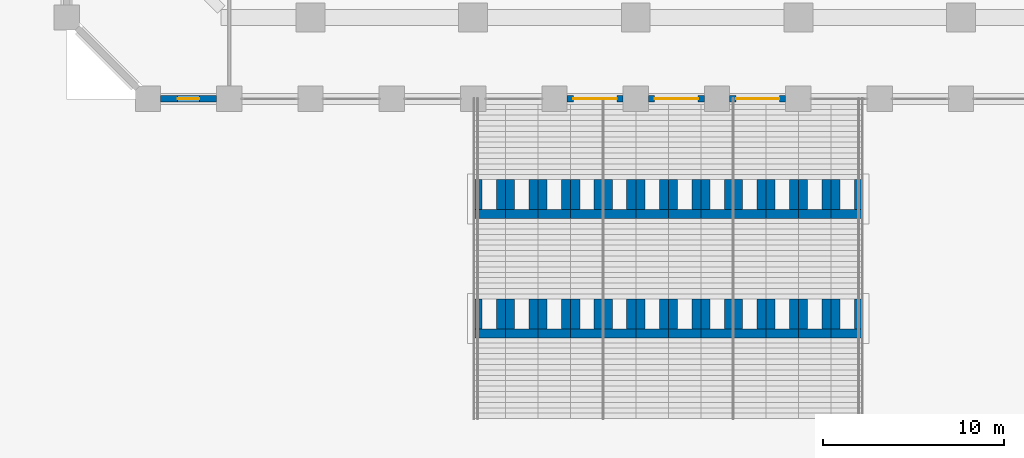
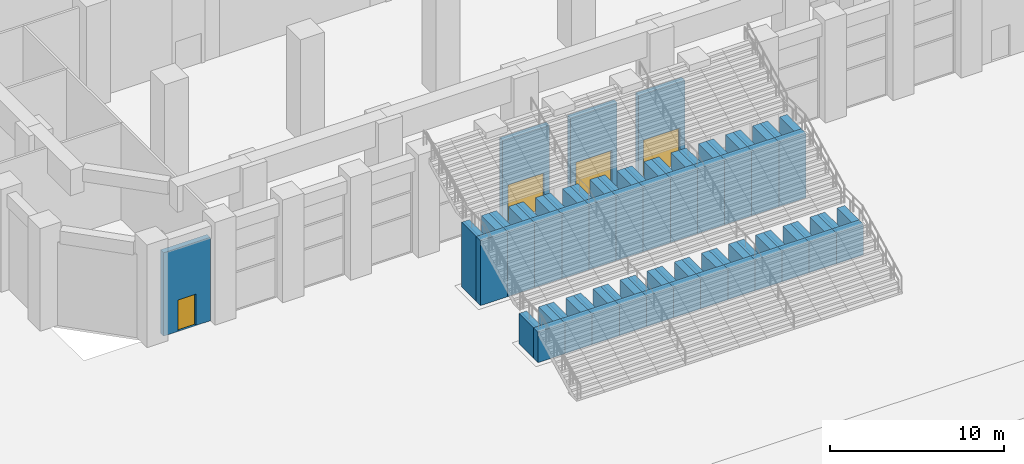
# One storey, part 8 of 30: 76 walls, 4 doors, 4 openings.
"""IFC4 building model written with IfcOpenShell, lengths in metres."""

from ifc_helpers import new_model, si_unit, direction, frame, frame_2d, origin, place, context, subcontext, project, spatial, rectangle, extrude, material, layer, layer_set, type_object, element, fill, save


model = new_model("IFC4")

# Units and contexts
model_context = context("Model", 3, precision=1e-05, world=origin(), true_north=direction((0.0, 1.0)))
body_context = subcontext(model_context, "Body", "Model", "MODEL_VIEW")
ifc_project = project(units=[si_unit("LENGTHUNIT", "METRE"), si_unit("AREAUNIT", "SQUARE_METRE"), si_unit("VOLUMEUNIT", "CUBIC_METRE"), si_unit("PLANEANGLEUNIT", "RADIAN"), si_unit("MASSUNIT", "GRAM", prefix="KILO")], contexts=[model_context])

# Site, building, storey
site_placement = place(None, origin())
site = spatial("IfcSite", under=ifc_project, at=site_placement, CompositionType="ELEMENT")
building_placement = place(site_placement, origin())
building = spatial("IfcBuilding", under=site, at=building_placement, Name="Corbel Stack Research Tower", CompositionType="ELEMENT")
storey_placement = place(building_placement, origin())
storey = spatial("IfcBuildingStorey", under=building, at=storey_placement, Name="L00", CompositionType="ELEMENT", Elevation=0.0)

# Wall, opening, door
ifc_material_1 = material(Name="Concrete C45/55", Category="concrete")
ifc_layer_1 = layer(ifc_material_1, 0.35009765625)
ifc_layer_set_1 = layer_set([ifc_layer_1], Name="Concrete C45/55")
wall_type_1 = type_object("IfcWallType", Name="Board-marked concrete wall 350", PredefinedType="SOLIDWALL", material=ifc_layer_set_1)
wall_1_placement = place(storey_placement, frame((-23.199951171875, -31.5, 0.0), z_axis=(0.0, 0.0, 1.0), x_axis=(-1.0, 0.0, 0.0)))
wall_1 = element("IfcWall", 1, at=wall_1_placement, inside=storey, type_object=wall_type_1, Name="Facade wall L00 S01", PredefinedType="SOLIDWALL", context=body_context, shape_type="SweptSolid", body=[
    extrude(rectangle(XDim=3.10009765625, YDim=0.35009765625, at=frame_2d((1.550048828125, 0.0))), origin(), (0.0, 0.0, 1.0), 5.85009765625),
])
opening_1_placement = place(wall_1_placement, frame((0.949951171875, 0.0, 0.0)))
opening_1 = element("IfcOpeningElement", 2, at=opening_1_placement, cuts=wall_1, Name="Opening EX-1", PredefinedType="OPENING", context=body_context, shape_type="SweptSolid", body=[
    extrude(rectangle(XDim=1.199951171875, YDim=2.199951171875, at=frame_2d((0.60009765625, 1.10009765625))), frame((0.0, 0.18505859375, 0.0), z_axis=(0.0, -1.0, 0.0), x_axis=(1.0, 0.0, 0.0)), (0.0, 0.0, 1.0), 0.3701171875),
])
ifc_material_2 = material(Name="Steel door leaf, painted", Category="steel")
door_type_1 = type_object("IfcDoorType", Name="Exit door EX 1200 x 2200", OperationType="NOTDEFINED", PredefinedType="DOOR", material=ifc_material_2)
door_1_placement = place(opening_1_placement, origin())
door_1 = element("IfcDoor", 3, at=door_1_placement, inside=storey, type_object=door_type_1, Name="Exit door EX-1", OperationType="SINGLE_SWING_LEFT", OverallHeight=2.199951171875, OverallWidth=1.199951171875, PredefinedType="DOOR", context=body_context, shape_type="SweptSolid", body=[
    extrude(rectangle(XDim=1.199951171875, YDim=2.199951171875, at=frame_2d((0.60009765625, 1.10009765625))), frame((0.0, 0.02490234375, 0.0), z_axis=(0.0, -1.0, 0.0), x_axis=(1.0, 0.0, 0.0)), (0.0, 0.0, 1.0), 0.050048828125),
])
fill(opening_1, door_1)

wall_2_placement = place(storey_placement, frame((-0.699951171875, -31.5, 0.0), z_axis=(0.0, 0.0, 1.0), x_axis=(-1.0, 0.0, 0.0)))
wall_2 = element("IfcWall", 4, at=wall_2_placement, inside=storey, type_object=wall_type_1, Name="Facade wall L00 S06", PredefinedType="SOLIDWALL", context=body_context, shape_type="SweptSolid", body=[
    extrude(rectangle(XDim=3.10009765625, YDim=0.35009765625, at=frame_2d((1.550048828125, 0.0))), origin(), (0.0, 0.0, 1.0), 5.85009765625),
])
opening_2_placement = place(wall_2_placement, frame((0.35009765625, 0.0, 0.0)))
opening_2 = element("IfcOpeningElement", 5, at=opening_2_placement, cuts=wall_2, Name="Opening ENT-1", PredefinedType="OPENING", context=body_context, shape_type="SweptSolid", body=[
    extrude(rectangle(XDim=2.39990234375, YDim=2.60009765625, at=frame_2d((1.199951171875, 1.300048828125))), frame((0.0, 0.18505859375, 0.0), z_axis=(0.0, -1.0, 0.0), x_axis=(1.0, 0.0, 0.0)), (0.0, 0.0, 1.0), 0.3701171875),
])
ifc_material_3 = material(Name="Aluminium frame, clear double glazing", Category="aluminium")
door_type_2 = type_object("IfcDoorType", Name="Entrance door pair ENT 2400 x 2600", OperationType="DOUBLE_DOOR_SINGLE_SWING", PredefinedType="DOOR", material=ifc_material_3)
door_2_placement = place(opening_2_placement, origin())
door_2 = element("IfcDoor", 6, at=door_2_placement, inside=storey, type_object=door_type_2, Name="Entrance door ENT-1", OperationType="SINGLE_SWING_LEFT", OverallHeight=2.60009765625, OverallWidth=2.39990234375, PredefinedType="DOOR", context=body_context, shape_type="SweptSolid", body=[
    extrude(rectangle(XDim=2.39990234375, YDim=2.60009765625, at=frame_2d((1.199951171875, 1.300048828125))), frame((0.0, 0.02490234375, 0.0), z_axis=(0.0, -1.0, 0.0), x_axis=(1.0, 0.0, 0.0)), (0.0, 0.0, 1.0), 0.050048828125),
])
fill(opening_2, door_2)

wall_3_placement = place(storey_placement, frame((3.800048828125, -31.5, 0.0), z_axis=(0.0, 0.0, 1.0), x_axis=(-1.0, 0.0, 0.0)))
wall_3 = element("IfcWall", 7, at=wall_3_placement, inside=storey, type_object=wall_type_1, Name="Facade wall L00 S07", PredefinedType="SOLIDWALL", context=body_context, shape_type="SweptSolid", body=[
    extrude(rectangle(XDim=3.10009765625, YDim=0.35009765625, at=frame_2d((1.550048828125, 0.0))), origin(), (0.0, 0.0, 1.0), 5.85009765625),
])
opening_3_placement = place(wall_3_placement, frame((0.35009765625, 0.0, 0.0)))
opening_3 = element("IfcOpeningElement", 8, at=opening_3_placement, cuts=wall_3, Name="Opening ENT-2", PredefinedType="OPENING", context=body_context, shape_type="SweptSolid", body=[
    extrude(rectangle(XDim=2.39990234375, YDim=2.60009765625, at=frame_2d((1.199951171875, 1.300048828125))), frame((0.0, 0.18505859375, 0.0), z_axis=(0.0, -1.0, 0.0), x_axis=(1.0, 0.0, 0.0)), (0.0, 0.0, 1.0), 0.3701171875),
])
door_3_placement = place(opening_3_placement, origin())
door_3 = element("IfcDoor", 9, at=door_3_placement, inside=storey, type_object=door_type_2, Name="Entrance door ENT-2", OperationType="SINGLE_SWING_LEFT", OverallHeight=2.60009765625, OverallWidth=2.39990234375, PredefinedType="DOOR", context=body_context, shape_type="SweptSolid", body=[
    extrude(rectangle(XDim=2.39990234375, YDim=2.60009765625, at=frame_2d((1.199951171875, 1.300048828125))), frame((0.0, 0.02490234375, 0.0), z_axis=(0.0, -1.0, 0.0), x_axis=(1.0, 0.0, 0.0)), (0.0, 0.0, 1.0), 0.050048828125),
])
fill(opening_3, door_3)

wall_4_placement = place(storey_placement, frame((8.300048828125, -31.5, 0.0), z_axis=(0.0, 0.0, 1.0), x_axis=(-1.0, 0.0, 0.0)))
wall_4 = element("IfcWall", 10, at=wall_4_placement, inside=storey, type_object=wall_type_1, Name="Facade wall L00 S08", PredefinedType="SOLIDWALL", context=body_context, shape_type="SweptSolid", body=[
    extrude(rectangle(XDim=3.10009765625, YDim=0.35009765625, at=frame_2d((1.550048828125, 0.0))), origin(), (0.0, 0.0, 1.0), 5.85009765625),
])
opening_4_placement = place(wall_4_placement, frame((0.35009765625, 0.0, 0.0)))
opening_4 = element("IfcOpeningElement", 11, at=opening_4_placement, cuts=wall_4, Name="Opening ENT-3", PredefinedType="OPENING", context=body_context, shape_type="SweptSolid", body=[
    extrude(rectangle(XDim=2.39990234375, YDim=2.60009765625, at=frame_2d((1.199951171875, 1.300048828125))), frame((0.0, 0.18505859375, 0.0), z_axis=(0.0, -1.0, 0.0), x_axis=(1.0, 0.0, 0.0)), (0.0, 0.0, 1.0), 0.3701171875),
])
door_4_placement = place(opening_4_placement, origin())
door_4 = element("IfcDoor", 12, at=door_4_placement, inside=storey, type_object=door_type_2, Name="Entrance door ENT-3", OperationType="SINGLE_SWING_LEFT", OverallHeight=2.60009765625, OverallWidth=2.39990234375, PredefinedType="DOOR", context=body_context, shape_type="SweptSolid", body=[
    extrude(rectangle(XDim=2.39990234375, YDim=2.60009765625, at=frame_2d((1.199951171875, 1.300048828125))), frame((0.0, 0.02490234375, 0.0), z_axis=(0.0, -1.0, 0.0), x_axis=(1.0, 0.0, 0.0)), (0.0, 0.0, 1.0), 0.050048828125),
])
fill(opening_4, door_4)

# Walls
ifc_material_4 = material(Name="Concrete C40/50", Category="concrete")
ifc_layer_2 = layer(ifc_material_4, 0.5)
ifc_layer_set_2 = layer_set([ifc_layer_2], Name="Concrete C40/50")
wall_type_2 = type_object("IfcWallType", Name="SW1 stair support wall 500", PredefinedType="SOLIDWALL", material=ifc_layer_set_2)
wall_5_placement = place(storey_placement, frame((-9.0, -44.47998046875, 0.0), z_axis=(0.0, 0.0, 1.0), x_axis=(1.0, 0.0, 0.0)))
element("IfcWall", 13, at=wall_5_placement, inside=storey, type_object=wall_type_2, Name="Garden stair 1 support wall 1a", PredefinedType="SOLIDWALL", context=body_context, shape_type="SweptSolid", body=[
    extrude(rectangle(XDim=1.800048828125, YDim=0.5, at=frame_2d((0.89990234375, 0.0))), origin(), (0.0, 0.0, 1.0), 2.14990234375),
])
for number, where, z_axis, x_axis, name in (
    (14, (-8.75, -44.22998046875, 0.0), (0.0, 0.0, 1.0), (0.0, 1.0, 0.0), "Garden stair 1 support wall 1b"),
    (15, (-7.449951171875, -44.22998046875, 0.0), (0.0, 0.0, 1.0), (0.0, 1.0, 0.0), "Garden stair 1 support wall 1c"),
):
    element("IfcWall", number, at=place(storey_placement, frame(where, z_axis=z_axis, x_axis=x_axis)), inside=storey, type_object=wall_type_2, Name=name, PredefinedType="SOLIDWALL", context=body_context, shape_type="SweptSolid", body=[
        extrude(rectangle(XDim=1.659912109375, YDim=0.5, at=frame_2d((0.830078125, 0.0))), origin(), (0.0, 0.0, 1.0), 2.14990234375),
    ])
wall_6_placement = place(storey_placement, frame((-9.0, -37.8798828125, 0.0), z_axis=(0.0, 0.0, 1.0), x_axis=(1.0, 0.0, 0.0)))
element("IfcWall", 16, at=wall_6_placement, inside=storey, type_object=wall_type_2, Name="Garden stair 1 support wall 2a", PredefinedType="SOLIDWALL", context=body_context, shape_type="SweptSolid", body=[
    extrude(rectangle(XDim=1.800048828125, YDim=0.5, at=frame_2d((0.89990234375, 0.0))), origin(), (0.0, 0.0, 1.0), 4.550048828125),
])
for number, where, z_axis, x_axis, name in (
    (17, (-8.75, -37.6298828125, 0.0), (0.0, 0.0, 1.0), (0.0, 1.0, 0.0), "Garden stair 1 support wall 2b"),
    (18, (-7.449951171875, -37.6298828125, 0.0), (0.0, 0.0, 1.0), (0.0, 1.0, 0.0), "Garden stair 1 support wall 2c"),
):
    element("IfcWall", number, at=place(storey_placement, frame(where, z_axis=z_axis, x_axis=x_axis)), inside=storey, type_object=wall_type_2, Name=name, PredefinedType="SOLIDWALL", context=body_context, shape_type="SweptSolid", body=[
        extrude(rectangle(XDim=1.659912109375, YDim=0.5, at=frame_2d((0.830078125, 0.0))), origin(), (0.0, 0.0, 1.0), 4.550048828125),
    ])
wall_7_placement = place(storey_placement, frame((-7.199951171875, -44.47998046875, 0.0), z_axis=(0.0, 0.0, 1.0), x_axis=(1.0, 0.0, 0.0)))
element("IfcWall", 19, at=wall_7_placement, inside=storey, type_object=wall_type_2, Name="Garden stair 2 support wall 1a", PredefinedType="SOLIDWALL", context=body_context, shape_type="SweptSolid", body=[
    extrude(rectangle(XDim=1.800048828125, YDim=0.5, at=frame_2d((0.89990234375, 0.0))), origin(), (0.0, 0.0, 1.0), 2.14990234375),
])
for number, where, z_axis, x_axis, name in (
    (20, (-6.949951171875, -44.22998046875, 0.0), (0.0, 0.0, 1.0), (0.0, 1.0, 0.0), "Garden stair 2 support wall 1b"),
    (21, (-5.64990234375, -44.22998046875, 0.0), (0.0, 0.0, 1.0), (0.0, 1.0, 0.0), "Garden stair 2 support wall 1c"),
):
    element("IfcWall", number, at=place(storey_placement, frame(where, z_axis=z_axis, x_axis=x_axis)), inside=storey, type_object=wall_type_2, Name=name, PredefinedType="SOLIDWALL", context=body_context, shape_type="SweptSolid", body=[
        extrude(rectangle(XDim=1.659912109375, YDim=0.5, at=frame_2d((0.830078125, 0.0))), origin(), (0.0, 0.0, 1.0), 2.14990234375),
    ])
wall_8_placement = place(storey_placement, frame((-7.199951171875, -37.8798828125, 0.0), z_axis=(0.0, 0.0, 1.0), x_axis=(1.0, 0.0, 0.0)))
element("IfcWall", 22, at=wall_8_placement, inside=storey, type_object=wall_type_2, Name="Garden stair 2 support wall 2a", PredefinedType="SOLIDWALL", context=body_context, shape_type="SweptSolid", body=[
    extrude(rectangle(XDim=1.800048828125, YDim=0.5, at=frame_2d((0.89990234375, 0.0))), origin(), (0.0, 0.0, 1.0), 4.550048828125),
])
for number, where, z_axis, x_axis, name in (
    (23, (-6.949951171875, -37.6298828125, 0.0), (0.0, 0.0, 1.0), (0.0, 1.0, 0.0), "Garden stair 2 support wall 2b"),
    (24, (-5.64990234375, -37.6298828125, 0.0), (0.0, 0.0, 1.0), (0.0, 1.0, 0.0), "Garden stair 2 support wall 2c"),
):
    element("IfcWall", number, at=place(storey_placement, frame(where, z_axis=z_axis, x_axis=x_axis)), inside=storey, type_object=wall_type_2, Name=name, PredefinedType="SOLIDWALL", context=body_context, shape_type="SweptSolid", body=[
        extrude(rectangle(XDim=1.659912109375, YDim=0.5, at=frame_2d((0.830078125, 0.0))), origin(), (0.0, 0.0, 1.0), 4.550048828125),
    ])
wall_9_placement = place(storey_placement, frame((-5.39990234375, -44.47998046875, 0.0), z_axis=(0.0, 0.0, 1.0), x_axis=(1.0, 0.0, 0.0)))
element("IfcWall", 25, at=wall_9_placement, inside=storey, type_object=wall_type_2, Name="Garden stair 3 support wall 1a", PredefinedType="SOLIDWALL", context=body_context, shape_type="SweptSolid", body=[
    extrude(rectangle(XDim=1.7998046875, YDim=0.5, at=frame_2d((0.89990234375, 0.0))), origin(), (0.0, 0.0, 1.0), 2.14990234375),
])
for number, where, z_axis, x_axis, name in (
    (26, (-5.14990234375, -44.22998046875, 0.0), (0.0, 0.0, 1.0), (0.0, 1.0, 0.0), "Garden stair 3 support wall 1b"),
    (27, (-3.85009765625, -44.22998046875, 0.0), (0.0, 0.0, 1.0), (0.0, 1.0, 0.0), "Garden stair 3 support wall 1c"),
):
    element("IfcWall", number, at=place(storey_placement, frame(where, z_axis=z_axis, x_axis=x_axis)), inside=storey, type_object=wall_type_2, Name=name, PredefinedType="SOLIDWALL", context=body_context, shape_type="SweptSolid", body=[
        extrude(rectangle(XDim=1.659912109375, YDim=0.5, at=frame_2d((0.830078125, 0.0))), origin(), (0.0, 0.0, 1.0), 2.14990234375),
    ])
wall_10_placement = place(storey_placement, frame((-5.39990234375, -37.8798828125, 0.0), z_axis=(0.0, 0.0, 1.0), x_axis=(1.0, 0.0, 0.0)))
element("IfcWall", 28, at=wall_10_placement, inside=storey, type_object=wall_type_2, Name="Garden stair 3 support wall 2a", PredefinedType="SOLIDWALL", context=body_context, shape_type="SweptSolid", body=[
    extrude(rectangle(XDim=1.7998046875, YDim=0.5, at=frame_2d((0.89990234375, 0.0))), origin(), (0.0, 0.0, 1.0), 4.550048828125),
])
for number, where, z_axis, x_axis, name in (
    (29, (-5.14990234375, -37.6298828125, 0.0), (0.0, 0.0, 1.0), (0.0, 1.0, 0.0), "Garden stair 3 support wall 2b"),
    (30, (-3.85009765625, -37.6298828125, 0.0), (0.0, 0.0, 1.0), (0.0, 1.0, 0.0), "Garden stair 3 support wall 2c"),
):
    element("IfcWall", number, at=place(storey_placement, frame(where, z_axis=z_axis, x_axis=x_axis)), inside=storey, type_object=wall_type_2, Name=name, PredefinedType="SOLIDWALL", context=body_context, shape_type="SweptSolid", body=[
        extrude(rectangle(XDim=1.659912109375, YDim=0.5, at=frame_2d((0.830078125, 0.0))), origin(), (0.0, 0.0, 1.0), 4.550048828125),
    ])
wall_11_placement = place(storey_placement, frame((-3.60009765625, -44.47998046875, 0.0), z_axis=(0.0, 0.0, 1.0), x_axis=(1.0, 0.0, 0.0)))
element("IfcWall", 31, at=wall_11_placement, inside=storey, type_object=wall_type_2, Name="Garden stair 4 support wall 1a", PredefinedType="SOLIDWALL", context=body_context, shape_type="SweptSolid", body=[
    extrude(rectangle(XDim=1.800048828125, YDim=0.5, at=frame_2d((0.89990234375, 0.0))), origin(), (0.0, 0.0, 1.0), 2.14990234375),
])
for number, where, z_axis, x_axis, name in (
    (32, (-3.35009765625, -44.22998046875, 0.0), (0.0, 0.0, 1.0), (0.0, 1.0, 0.0), "Garden stair 4 support wall 1b"),
    (33, (-2.050048828125, -44.22998046875, 0.0), (0.0, 0.0, 1.0), (0.0, 1.0, 0.0), "Garden stair 4 support wall 1c"),
):
    element("IfcWall", number, at=place(storey_placement, frame(where, z_axis=z_axis, x_axis=x_axis)), inside=storey, type_object=wall_type_2, Name=name, PredefinedType="SOLIDWALL", context=body_context, shape_type="SweptSolid", body=[
        extrude(rectangle(XDim=1.659912109375, YDim=0.5, at=frame_2d((0.830078125, 0.0))), origin(), (0.0, 0.0, 1.0), 2.14990234375),
    ])
wall_12_placement = place(storey_placement, frame((-3.60009765625, -37.8798828125, 0.0), z_axis=(0.0, 0.0, 1.0), x_axis=(1.0, 0.0, 0.0)))
element("IfcWall", 34, at=wall_12_placement, inside=storey, type_object=wall_type_2, Name="Garden stair 4 support wall 2a", PredefinedType="SOLIDWALL", context=body_context, shape_type="SweptSolid", body=[
    extrude(rectangle(XDim=1.800048828125, YDim=0.5, at=frame_2d((0.89990234375, 0.0))), origin(), (0.0, 0.0, 1.0), 4.550048828125),
])
for number, where, z_axis, x_axis, name in (
    (35, (-3.35009765625, -37.6298828125, 0.0), (0.0, 0.0, 1.0), (0.0, 1.0, 0.0), "Garden stair 4 support wall 2b"),
    (36, (-2.050048828125, -37.6298828125, 0.0), (0.0, 0.0, 1.0), (0.0, 1.0, 0.0), "Garden stair 4 support wall 2c"),
):
    element("IfcWall", number, at=place(storey_placement, frame(where, z_axis=z_axis, x_axis=x_axis)), inside=storey, type_object=wall_type_2, Name=name, PredefinedType="SOLIDWALL", context=body_context, shape_type="SweptSolid", body=[
        extrude(rectangle(XDim=1.659912109375, YDim=0.5, at=frame_2d((0.830078125, 0.0))), origin(), (0.0, 0.0, 1.0), 4.550048828125),
    ])
wall_13_placement = place(storey_placement, frame((-1.800048828125, -44.47998046875, 0.0), z_axis=(0.0, 0.0, 1.0), x_axis=(1.0, 0.0, 0.0)))
element("IfcWall", 37, at=wall_13_placement, inside=storey, type_object=wall_type_2, Name="Garden stair 5 support wall 1a", PredefinedType="SOLIDWALL", context=body_context, shape_type="SweptSolid", body=[
    extrude(rectangle(XDim=1.800048828125, YDim=0.5, at=frame_2d((0.89990234375, 0.0))), origin(), (0.0, 0.0, 1.0), 2.14990234375),
])
for number, where, z_axis, x_axis, name in (
    (38, (-1.550048828125, -44.22998046875, 0.0), (0.0, 0.0, 1.0), (0.0, 1.0, 0.0), "Garden stair 5 support wall 1b"),
    (39, (-0.25, -44.22998046875, 0.0), (0.0, 0.0, 1.0), (0.0, 1.0, 0.0), "Garden stair 5 support wall 1c"),
):
    element("IfcWall", number, at=place(storey_placement, frame(where, z_axis=z_axis, x_axis=x_axis)), inside=storey, type_object=wall_type_2, Name=name, PredefinedType="SOLIDWALL", context=body_context, shape_type="SweptSolid", body=[
        extrude(rectangle(XDim=1.659912109375, YDim=0.5, at=frame_2d((0.830078125, 0.0))), origin(), (0.0, 0.0, 1.0), 2.14990234375),
    ])
wall_14_placement = place(storey_placement, frame((-1.800048828125, -37.8798828125, 0.0), z_axis=(0.0, 0.0, 1.0), x_axis=(1.0, 0.0, 0.0)))
element("IfcWall", 40, at=wall_14_placement, inside=storey, type_object=wall_type_2, Name="Garden stair 5 support wall 2a", PredefinedType="SOLIDWALL", context=body_context, shape_type="SweptSolid", body=[
    extrude(rectangle(XDim=1.800048828125, YDim=0.5, at=frame_2d((0.89990234375, 0.0))), origin(), (0.0, 0.0, 1.0), 4.550048828125),
])
for number, where, z_axis, x_axis, name in (
    (41, (-1.550048828125, -37.6298828125, 0.0), (0.0, 0.0, 1.0), (0.0, 1.0, 0.0), "Garden stair 5 support wall 2b"),
    (42, (-0.25, -37.6298828125, 0.0), (0.0, 0.0, 1.0), (0.0, 1.0, 0.0), "Garden stair 5 support wall 2c"),
):
    element("IfcWall", number, at=place(storey_placement, frame(where, z_axis=z_axis, x_axis=x_axis)), inside=storey, type_object=wall_type_2, Name=name, PredefinedType="SOLIDWALL", context=body_context, shape_type="SweptSolid", body=[
        extrude(rectangle(XDim=1.659912109375, YDim=0.5, at=frame_2d((0.830078125, 0.0))), origin(), (0.0, 0.0, 1.0), 4.550048828125),
    ])
wall_15_placement = place(storey_placement, frame((0.0, -44.47998046875, 0.0), z_axis=(0.0, 0.0, 1.0), x_axis=(1.0, 0.0, 0.0)))
element("IfcWall", 43, at=wall_15_placement, inside=storey, type_object=wall_type_2, Name="Garden stair 6 support wall 1a", PredefinedType="SOLIDWALL", context=body_context, shape_type="SweptSolid", body=[
    extrude(rectangle(XDim=1.800048828125, YDim=0.5, at=frame_2d((0.89990234375, 0.0))), origin(), (0.0, 0.0, 1.0), 2.14990234375),
])
for number, where, z_axis, x_axis, name in (
    (44, (0.25, -44.22998046875, 0.0), (0.0, 0.0, 1.0), (0.0, 1.0, 0.0), "Garden stair 6 support wall 1b"),
    (45, (1.550048828125, -44.22998046875, 0.0), (0.0, 0.0, 1.0), (0.0, 1.0, 0.0), "Garden stair 6 support wall 1c"),
):
    element("IfcWall", number, at=place(storey_placement, frame(where, z_axis=z_axis, x_axis=x_axis)), inside=storey, type_object=wall_type_2, Name=name, PredefinedType="SOLIDWALL", context=body_context, shape_type="SweptSolid", body=[
        extrude(rectangle(XDim=1.659912109375, YDim=0.5, at=frame_2d((0.830078125, 0.0))), origin(), (0.0, 0.0, 1.0), 2.14990234375),
    ])
wall_16_placement = place(storey_placement, frame((0.0, -37.8798828125, 0.0), z_axis=(0.0, 0.0, 1.0), x_axis=(1.0, 0.0, 0.0)))
element("IfcWall", 46, at=wall_16_placement, inside=storey, type_object=wall_type_2, Name="Garden stair 6 support wall 2a", PredefinedType="SOLIDWALL", context=body_context, shape_type="SweptSolid", body=[
    extrude(rectangle(XDim=1.800048828125, YDim=0.5, at=frame_2d((0.89990234375, 0.0))), origin(), (0.0, 0.0, 1.0), 4.550048828125),
])
for number, where, z_axis, x_axis, name in (
    (47, (0.25, -37.6298828125, 0.0), (0.0, 0.0, 1.0), (0.0, 1.0, 0.0), "Garden stair 6 support wall 2b"),
    (48, (1.550048828125, -37.6298828125, 0.0), (0.0, 0.0, 1.0), (0.0, 1.0, 0.0), "Garden stair 6 support wall 2c"),
):
    element("IfcWall", number, at=place(storey_placement, frame(where, z_axis=z_axis, x_axis=x_axis)), inside=storey, type_object=wall_type_2, Name=name, PredefinedType="SOLIDWALL", context=body_context, shape_type="SweptSolid", body=[
        extrude(rectangle(XDim=1.659912109375, YDim=0.5, at=frame_2d((0.830078125, 0.0))), origin(), (0.0, 0.0, 1.0), 4.550048828125),
    ])
wall_17_placement = place(storey_placement, frame((1.800048828125, -44.47998046875, 0.0), z_axis=(0.0, 0.0, 1.0), x_axis=(1.0, 0.0, 0.0)))
element("IfcWall", 49, at=wall_17_placement, inside=storey, type_object=wall_type_2, Name="Garden stair 7 support wall 1a", PredefinedType="SOLIDWALL", context=body_context, shape_type="SweptSolid", body=[
    extrude(rectangle(XDim=1.800048828125, YDim=0.5, at=frame_2d((0.89990234375, 0.0))), origin(), (0.0, 0.0, 1.0), 2.14990234375),
])
for number, where, z_axis, x_axis, name in (
    (50, (2.050048828125, -44.22998046875, 0.0), (0.0, 0.0, 1.0), (0.0, 1.0, 0.0), "Garden stair 7 support wall 1b"),
    (51, (3.35009765625, -44.22998046875, 0.0), (0.0, 0.0, 1.0), (0.0, 1.0, 0.0), "Garden stair 7 support wall 1c"),
):
    element("IfcWall", number, at=place(storey_placement, frame(where, z_axis=z_axis, x_axis=x_axis)), inside=storey, type_object=wall_type_2, Name=name, PredefinedType="SOLIDWALL", context=body_context, shape_type="SweptSolid", body=[
        extrude(rectangle(XDim=1.659912109375, YDim=0.5, at=frame_2d((0.830078125, 0.0))), origin(), (0.0, 0.0, 1.0), 2.14990234375),
    ])
wall_18_placement = place(storey_placement, frame((1.800048828125, -37.8798828125, 0.0), z_axis=(0.0, 0.0, 1.0), x_axis=(1.0, 0.0, 0.0)))
element("IfcWall", 52, at=wall_18_placement, inside=storey, type_object=wall_type_2, Name="Garden stair 7 support wall 2a", PredefinedType="SOLIDWALL", context=body_context, shape_type="SweptSolid", body=[
    extrude(rectangle(XDim=1.800048828125, YDim=0.5, at=frame_2d((0.89990234375, 0.0))), origin(), (0.0, 0.0, 1.0), 4.550048828125),
])
for number, where, z_axis, x_axis, name in (
    (53, (2.050048828125, -37.6298828125, 0.0), (0.0, 0.0, 1.0), (0.0, 1.0, 0.0), "Garden stair 7 support wall 2b"),
    (54, (3.35009765625, -37.6298828125, 0.0), (0.0, 0.0, 1.0), (0.0, 1.0, 0.0), "Garden stair 7 support wall 2c"),
):
    element("IfcWall", number, at=place(storey_placement, frame(where, z_axis=z_axis, x_axis=x_axis)), inside=storey, type_object=wall_type_2, Name=name, PredefinedType="SOLIDWALL", context=body_context, shape_type="SweptSolid", body=[
        extrude(rectangle(XDim=1.659912109375, YDim=0.5, at=frame_2d((0.830078125, 0.0))), origin(), (0.0, 0.0, 1.0), 4.550048828125),
    ])
wall_19_placement = place(storey_placement, frame((3.60009765625, -44.47998046875, 0.0), z_axis=(0.0, 0.0, 1.0), x_axis=(1.0, 0.0, 0.0)))
element("IfcWall", 55, at=wall_19_placement, inside=storey, type_object=wall_type_2, Name="Garden stair 8 support wall 1a", PredefinedType="SOLIDWALL", context=body_context, shape_type="SweptSolid", body=[
    extrude(rectangle(XDim=1.7998046875, YDim=0.5, at=frame_2d((0.89990234375, 0.0))), origin(), (0.0, 0.0, 1.0), 2.14990234375),
])
for number, where, z_axis, x_axis, name in (
    (56, (3.85009765625, -44.22998046875, 0.0), (0.0, 0.0, 1.0), (0.0, 1.0, 0.0), "Garden stair 8 support wall 1b"),
    (57, (5.14990234375, -44.22998046875, 0.0), (0.0, 0.0, 1.0), (0.0, 1.0, 0.0), "Garden stair 8 support wall 1c"),
):
    element("IfcWall", number, at=place(storey_placement, frame(where, z_axis=z_axis, x_axis=x_axis)), inside=storey, type_object=wall_type_2, Name=name, PredefinedType="SOLIDWALL", context=body_context, shape_type="SweptSolid", body=[
        extrude(rectangle(XDim=1.659912109375, YDim=0.5, at=frame_2d((0.830078125, 0.0))), origin(), (0.0, 0.0, 1.0), 2.14990234375),
    ])
wall_20_placement = place(storey_placement, frame((3.60009765625, -37.8798828125, 0.0), z_axis=(0.0, 0.0, 1.0), x_axis=(1.0, 0.0, 0.0)))
element("IfcWall", 58, at=wall_20_placement, inside=storey, type_object=wall_type_2, Name="Garden stair 8 support wall 2a", PredefinedType="SOLIDWALL", context=body_context, shape_type="SweptSolid", body=[
    extrude(rectangle(XDim=1.7998046875, YDim=0.5, at=frame_2d((0.89990234375, 0.0))), origin(), (0.0, 0.0, 1.0), 4.550048828125),
])
for number, where, z_axis, x_axis, name in (
    (59, (3.85009765625, -37.6298828125, 0.0), (0.0, 0.0, 1.0), (0.0, 1.0, 0.0), "Garden stair 8 support wall 2b"),
    (60, (5.14990234375, -37.6298828125, 0.0), (0.0, 0.0, 1.0), (0.0, 1.0, 0.0), "Garden stair 8 support wall 2c"),
):
    element("IfcWall", number, at=place(storey_placement, frame(where, z_axis=z_axis, x_axis=x_axis)), inside=storey, type_object=wall_type_2, Name=name, PredefinedType="SOLIDWALL", context=body_context, shape_type="SweptSolid", body=[
        extrude(rectangle(XDim=1.659912109375, YDim=0.5, at=frame_2d((0.830078125, 0.0))), origin(), (0.0, 0.0, 1.0), 4.550048828125),
    ])
wall_21_placement = place(storey_placement, frame((5.39990234375, -44.47998046875, 0.0), z_axis=(0.0, 0.0, 1.0), x_axis=(1.0, 0.0, 0.0)))
element("IfcWall", 61, at=wall_21_placement, inside=storey, type_object=wall_type_2, Name="Garden stair 9 support wall 1a", PredefinedType="SOLIDWALL", context=body_context, shape_type="SweptSolid", body=[
    extrude(rectangle(XDim=1.800048828125, YDim=0.5, at=frame_2d((0.89990234375, 0.0))), origin(), (0.0, 0.0, 1.0), 2.14990234375),
])
for number, where, z_axis, x_axis, name in (
    (62, (5.64990234375, -44.22998046875, 0.0), (0.0, 0.0, 1.0), (0.0, 1.0, 0.0), "Garden stair 9 support wall 1b"),
    (63, (6.949951171875, -44.22998046875, 0.0), (0.0, 0.0, 1.0), (0.0, 1.0, 0.0), "Garden stair 9 support wall 1c"),
):
    element("IfcWall", number, at=place(storey_placement, frame(where, z_axis=z_axis, x_axis=x_axis)), inside=storey, type_object=wall_type_2, Name=name, PredefinedType="SOLIDWALL", context=body_context, shape_type="SweptSolid", body=[
        extrude(rectangle(XDim=1.659912109375, YDim=0.5, at=frame_2d((0.830078125, 0.0))), origin(), (0.0, 0.0, 1.0), 2.14990234375),
    ])
wall_22_placement = place(storey_placement, frame((5.39990234375, -37.8798828125, 0.0), z_axis=(0.0, 0.0, 1.0), x_axis=(1.0, 0.0, 0.0)))
element("IfcWall", 64, at=wall_22_placement, inside=storey, type_object=wall_type_2, Name="Garden stair 9 support wall 2a", PredefinedType="SOLIDWALL", context=body_context, shape_type="SweptSolid", body=[
    extrude(rectangle(XDim=1.800048828125, YDim=0.5, at=frame_2d((0.89990234375, 0.0))), origin(), (0.0, 0.0, 1.0), 4.550048828125),
])
for number, where, z_axis, x_axis, name in (
    (65, (5.64990234375, -37.6298828125, 0.0), (0.0, 0.0, 1.0), (0.0, 1.0, 0.0), "Garden stair 9 support wall 2b"),
    (66, (6.949951171875, -37.6298828125, 0.0), (0.0, 0.0, 1.0), (0.0, 1.0, 0.0), "Garden stair 9 support wall 2c"),
):
    element("IfcWall", number, at=place(storey_placement, frame(where, z_axis=z_axis, x_axis=x_axis)), inside=storey, type_object=wall_type_2, Name=name, PredefinedType="SOLIDWALL", context=body_context, shape_type="SweptSolid", body=[
        extrude(rectangle(XDim=1.659912109375, YDim=0.5, at=frame_2d((0.830078125, 0.0))), origin(), (0.0, 0.0, 1.0), 4.550048828125),
    ])
wall_23_placement = place(storey_placement, frame((7.199951171875, -44.47998046875, 0.0), z_axis=(0.0, 0.0, 1.0), x_axis=(1.0, 0.0, 0.0)))
element("IfcWall", 67, at=wall_23_placement, inside=storey, type_object=wall_type_2, Name="Garden stair 10 support wall 1a", PredefinedType="SOLIDWALL", context=body_context, shape_type="SweptSolid", body=[
    extrude(rectangle(XDim=1.800048828125, YDim=0.5, at=frame_2d((0.89990234375, 0.0))), origin(), (0.0, 0.0, 1.0), 2.14990234375),
])
for number, where, z_axis, x_axis, name in (
    (68, (7.449951171875, -44.22998046875, 0.0), (0.0, 0.0, 1.0), (0.0, 1.0, 0.0), "Garden stair 10 support wall 1b"),
    (69, (8.75, -44.22998046875, 0.0), (0.0, 0.0, 1.0), (0.0, 1.0, 0.0), "Garden stair 10 support wall 1c"),
):
    element("IfcWall", number, at=place(storey_placement, frame(where, z_axis=z_axis, x_axis=x_axis)), inside=storey, type_object=wall_type_2, Name=name, PredefinedType="SOLIDWALL", context=body_context, shape_type="SweptSolid", body=[
        extrude(rectangle(XDim=1.659912109375, YDim=0.5, at=frame_2d((0.830078125, 0.0))), origin(), (0.0, 0.0, 1.0), 2.14990234375),
    ])
wall_24_placement = place(storey_placement, frame((7.199951171875, -37.8798828125, 0.0), z_axis=(0.0, 0.0, 1.0), x_axis=(1.0, 0.0, 0.0)))
element("IfcWall", 70, at=wall_24_placement, inside=storey, type_object=wall_type_2, Name="Garden stair 10 support wall 2a", PredefinedType="SOLIDWALL", context=body_context, shape_type="SweptSolid", body=[
    extrude(rectangle(XDim=1.800048828125, YDim=0.5, at=frame_2d((0.89990234375, 0.0))), origin(), (0.0, 0.0, 1.0), 4.550048828125),
])
for number, where, z_axis, x_axis, name in (
    (71, (7.449951171875, -37.6298828125, 0.0), (0.0, 0.0, 1.0), (0.0, 1.0, 0.0), "Garden stair 10 support wall 2b"),
    (72, (8.75, -37.6298828125, 0.0), (0.0, 0.0, 1.0), (0.0, 1.0, 0.0), "Garden stair 10 support wall 2c"),
):
    element("IfcWall", number, at=place(storey_placement, frame(where, z_axis=z_axis, x_axis=x_axis)), inside=storey, type_object=wall_type_2, Name=name, PredefinedType="SOLIDWALL", context=body_context, shape_type="SweptSolid", body=[
        extrude(rectangle(XDim=1.659912109375, YDim=0.5, at=frame_2d((0.830078125, 0.0))), origin(), (0.0, 0.0, 1.0), 4.550048828125),
    ])
wall_25_placement = place(storey_placement, frame((9.0, -44.47998046875, 0.0), z_axis=(0.0, 0.0, 1.0), x_axis=(1.0, 0.0, 0.0)))
element("IfcWall", 73, at=wall_25_placement, inside=storey, type_object=wall_type_2, Name="Garden stair 11 support wall 1a", PredefinedType="SOLIDWALL", context=body_context, shape_type="SweptSolid", body=[
    extrude(rectangle(XDim=1.800048828125, YDim=0.5, at=frame_2d((0.89990234375, 0.0))), origin(), (0.0, 0.0, 1.0), 2.14990234375),
])
for number, where, z_axis, x_axis, name in (
    (74, (9.25, -44.22998046875, 0.0), (0.0, 0.0, 1.0), (0.0, 1.0, 0.0), "Garden stair 11 support wall 1b"),
    (75, (10.550048828125, -44.22998046875, 0.0), (0.0, 0.0, 1.0), (0.0, 1.0, 0.0), "Garden stair 11 support wall 1c"),
):
    element("IfcWall", number, at=place(storey_placement, frame(where, z_axis=z_axis, x_axis=x_axis)), inside=storey, type_object=wall_type_2, Name=name, PredefinedType="SOLIDWALL", context=body_context, shape_type="SweptSolid", body=[
        extrude(rectangle(XDim=1.659912109375, YDim=0.5, at=frame_2d((0.830078125, 0.0))), origin(), (0.0, 0.0, 1.0), 2.14990234375),
    ])
wall_26_placement = place(storey_placement, frame((9.0, -37.8798828125, 0.0), z_axis=(0.0, 0.0, 1.0), x_axis=(1.0, 0.0, 0.0)))
element("IfcWall", 76, at=wall_26_placement, inside=storey, type_object=wall_type_2, Name="Garden stair 11 support wall 2a", PredefinedType="SOLIDWALL", context=body_context, shape_type="SweptSolid", body=[
    extrude(rectangle(XDim=1.800048828125, YDim=0.5, at=frame_2d((0.89990234375, 0.0))), origin(), (0.0, 0.0, 1.0), 4.550048828125),
])
for number, where, z_axis, x_axis, name in (
    (77, (9.25, -37.6298828125, 0.0), (0.0, 0.0, 1.0), (0.0, 1.0, 0.0), "Garden stair 11 support wall 2b"),
    (78, (10.550048828125, -37.6298828125, 0.0), (0.0, 0.0, 1.0), (0.0, 1.0, 0.0), "Garden stair 11 support wall 2c"),
):
    element("IfcWall", number, at=place(storey_placement, frame(where, z_axis=z_axis, x_axis=x_axis)), inside=storey, type_object=wall_type_2, Name=name, PredefinedType="SOLIDWALL", context=body_context, shape_type="SweptSolid", body=[
        extrude(rectangle(XDim=1.659912109375, YDim=0.5, at=frame_2d((0.830078125, 0.0))), origin(), (0.0, 0.0, 1.0), 4.550048828125),
    ])
wall_27_placement = place(storey_placement, frame((10.800048828125, -44.47998046875, 0.0), z_axis=(0.0, 0.0, 1.0), x_axis=(1.0, 0.0, 0.0)))
element("IfcWall", 79, at=wall_27_placement, inside=storey, type_object=wall_type_2, Name="Garden stair 12 support wall 1a", PredefinedType="SOLIDWALL", context=body_context, shape_type="SweptSolid", body=[
    extrude(rectangle(XDim=1.800048828125, YDim=0.5, at=frame_2d((0.89990234375, 0.0))), origin(), (0.0, 0.0, 1.0), 2.14990234375),
])
for number, where, z_axis, x_axis, name in (
    (80, (11.050048828125, -44.22998046875, 0.0), (0.0, 0.0, 1.0), (0.0, 1.0, 0.0), "Garden stair 12 support wall 1b"),
    (81, (12.35009765625, -44.22998046875, 0.0), (0.0, 0.0, 1.0), (0.0, 1.0, 0.0), "Garden stair 12 support wall 1c"),
):
    element("IfcWall", number, at=place(storey_placement, frame(where, z_axis=z_axis, x_axis=x_axis)), inside=storey, type_object=wall_type_2, Name=name, PredefinedType="SOLIDWALL", context=body_context, shape_type="SweptSolid", body=[
        extrude(rectangle(XDim=1.659912109375, YDim=0.5, at=frame_2d((0.830078125, 0.0))), origin(), (0.0, 0.0, 1.0), 2.14990234375),
    ])
wall_28_placement = place(storey_placement, frame((10.800048828125, -37.8798828125, 0.0), z_axis=(0.0, 0.0, 1.0), x_axis=(1.0, 0.0, 0.0)))
element("IfcWall", 82, at=wall_28_placement, inside=storey, type_object=wall_type_2, Name="Garden stair 12 support wall 2a", PredefinedType="SOLIDWALL", context=body_context, shape_type="SweptSolid", body=[
    extrude(rectangle(XDim=1.800048828125, YDim=0.5, at=frame_2d((0.89990234375, 0.0))), origin(), (0.0, 0.0, 1.0), 4.550048828125),
])
for number, where, z_axis, x_axis, name in (
    (83, (11.050048828125, -37.6298828125, 0.0), (0.0, 0.0, 1.0), (0.0, 1.0, 0.0), "Garden stair 12 support wall 2b"),
    (84, (12.35009765625, -37.6298828125, 0.0), (0.0, 0.0, 1.0), (0.0, 1.0, 0.0), "Garden stair 12 support wall 2c"),
):
    element("IfcWall", number, at=place(storey_placement, frame(where, z_axis=z_axis, x_axis=x_axis)), inside=storey, type_object=wall_type_2, Name=name, PredefinedType="SOLIDWALL", context=body_context, shape_type="SweptSolid", body=[
        extrude(rectangle(XDim=1.659912109375, YDim=0.5, at=frame_2d((0.830078125, 0.0))), origin(), (0.0, 0.0, 1.0), 4.550048828125),
    ])

save(model, "model.ifc")
